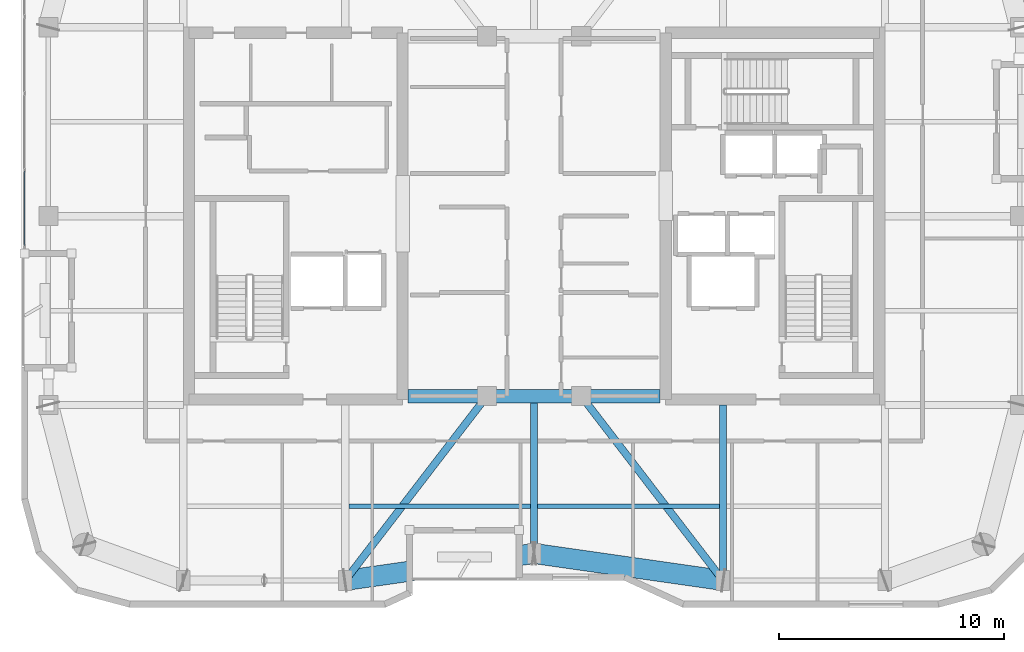
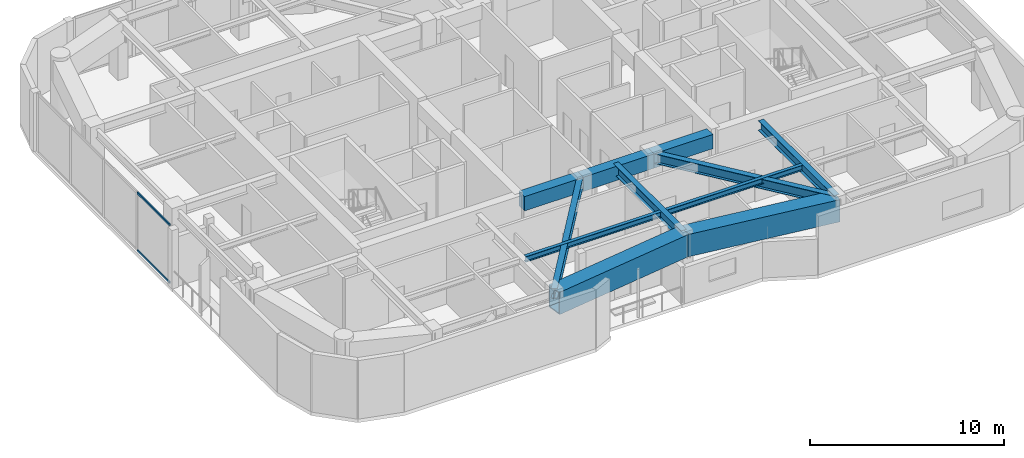
# One storey, part 3 of 15: 11 beams, 2 members, 1 element without a shape of its own.
"""IFC4 building model written with IfcOpenShell, lengths in metres."""

import ifcopenshell
import ifcopenshell.guid

model = None  # the IFC model being written
_history = None  # IfcOwnerHistory: only IFC2X3 demands one
_inside = {}  # id of a spatial element -> (the spatial element, [elements in it])
_under = {}  # id of a project, library or spatial element -> (it, [spatial elements below it])
_declared = {}  # id of a project -> (the project, [libraries it declares])
_typed = {}  # id of a type object -> (the type object, [elements of that type])
_made_of = {}  # id of a material, layer set ... -> (it, [elements and type objects made of it])


def new_model(schema):
    """Start an empty IFC model of exactly this schema.

    Asked for "IFC4X3", IfcOpenShell would pick the latest addendum, in which some entities
    have other attributes; the version numbers below select the first issue.
    IFC2X3 requires an IfcOwnerHistory on every rooted entity: one is made here for all.
    """
    global model, _history
    if schema == "IFC4X3":
        model = ifcopenshell.file(schema_version=(4, 3, 0, 0))
    else:
        model = ifcopenshell.file(schema=schema)
    _inside.clear()
    _under.clear()
    _declared.clear()
    _typed.clear()
    _made_of.clear()
    _history = None
    if model.schema == "IFC2X3":
        org = make("IfcOrganization", Name="unknown")
        user = make(
            "IfcPersonAndOrganization",
            ThePerson=make("IfcPerson", FamilyName="unknown"),
            TheOrganization=org,
        )
        app = make(
            "IfcApplication",
            ApplicationDeveloper=org,
            Version="unknown",
            ApplicationFullName="unknown",
            ApplicationIdentifier="unknown",
        )
        _history = make(
            "IfcOwnerHistory",
            OwningUser=user,
            OwningApplication=app,
            ChangeAction="ADDED",
            CreationDate=0,
        )
    return model


def make(cls, **values):
    """One entity of the class cls with the attributes given. An attribute that is None is left unset."""
    return model.create_entity(
        cls, **{name: value for name, value in values.items() if value is not None}
    )


def rooted(cls, **values):
    """An entity with a GlobalId (a new one), such as an element, a storey or a relation."""
    return make(cls, GlobalId=ifcopenshell.guid.new(), OwnerHistory=_history, **values)


def si_unit(unit_type, name, prefix=None):
    """IfcSIUnit, for example si_unit("LENGTHUNIT", "METRE", prefix="MILLI")."""
    return make("IfcSIUnit", UnitType=unit_type, Prefix=prefix, Name=name)


def assignment(units):
    """IfcUnitAssignment: the units of a project."""
    return None if units is None else make("IfcUnitAssignment", Units=units)


def point(xyz):
    """IfcCartesianPoint."""
    return None if xyz is None else make("IfcCartesianPoint", Coordinates=xyz)


def direction(xyz):
    """IfcDirection."""
    return None if xyz is None else make("IfcDirection", DirectionRatios=xyz)


def frame(location, z_axis=None, x_axis=None):
    """IfcAxis2Placement3D, a coordinate frame: its origin and axes. An axis left out is left unset."""
    return make(
        "IfcAxis2Placement3D",
        Location=point(location),
        Axis=direction(z_axis),
        RefDirection=direction(x_axis),
    )


def frame_2d(location, x_axis=None):
    """IfcAxis2Placement2D, a coordinate frame in the plane: its origin and x axis."""
    return make(
        "IfcAxis2Placement2D", Location=point(location), RefDirection=direction(x_axis)
    )


def origin():
    """The frame at (0, 0, 0) with its axes left unset."""
    return frame((0.0, 0.0, 0.0))


def origin_2d():
    """The frame at (0, 0) in the plane with its x axis left unset."""
    return frame_2d((0.0, 0.0))


def place(relative_to, where):
    """IfcLocalPlacement: puts the frame where relative to a parent placement (None: the world)."""
    return make(
        "IfcLocalPlacement", PlacementRelTo=relative_to, RelativePlacement=where
    )


def context(
    kind, dimensions, precision=None, world=None, true_north=None, identifier=None
):
    """IfcGeometricRepresentationContext, for example the 3D "Model" context."""
    return make(
        "IfcGeometricRepresentationContext",
        ContextIdentifier=identifier,
        ContextType=kind,
        CoordinateSpaceDimension=dimensions,
        Precision=precision,
        WorldCoordinateSystem=world,
        TrueNorth=true_north,
    )


def subcontext(parent, identifier, kind, view, scale=None):
    """IfcGeometricRepresentationSubContext, for example "Body" below "Model"."""
    return make(
        "IfcGeometricRepresentationSubContext",
        ContextIdentifier=identifier,
        ContextType=kind,
        ParentContext=parent,
        TargetScale=scale,
        TargetView=view,
    )


def project(units=None, contexts=None):
    """IfcProject with its units and contexts."""
    return rooted(
        "IfcProject",
        Name="project",
        RepresentationContexts=contexts,
        UnitsInContext=assignment(units),
    )


def spatial(cls, under=None, at=None, **own):
    """A site, building, storey or space (cls), placed at a placement, below another one or the project."""
    s = rooted(cls, ObjectPlacement=at, **own)
    if under is not None:
        _under.setdefault(under.id(), (under, []))[1].append(s)
    return s


def profile(cls, at=None, kind="AREA", **sizes):
    """A parametric profile (cls). Its sizes go by their IFC names, for example OverallWidth=200.0."""
    return make(cls, ProfileType=kind, Position=at, **sizes)


def rectangle(**sizes):
    """IfcRectangleProfileDef."""
    return profile("IfcRectangleProfileDef", **sizes)


def hollow_rectangle(**sizes):
    """IfcRectangleHollowProfileDef."""
    return profile("IfcRectangleHollowProfileDef", **sizes)


def i_section(**sizes):
    """IfcIShapeProfileDef."""
    return profile("IfcIShapeProfileDef", **sizes)


def extrude(swept, where, along, depth):
    """IfcExtrudedAreaSolid: the profile swept, set in the frame where, extruded along a direction by depth."""
    return make(
        "IfcExtrudedAreaSolid",
        SweptArea=swept,
        Position=where,
        ExtrudedDirection=direction(along),
        Depth=depth,
    )


def shape(context_of_items, identifier, shape_type, items):
    """IfcShapeRepresentation: the items that make up one representation, for example the "Body"."""
    return make(
        "IfcShapeRepresentation",
        ContextOfItems=context_of_items,
        RepresentationIdentifier=identifier,
        RepresentationType=shape_type,
        Items=items,
    )


def material(Name=None, Category=None):
    """IfcMaterial."""
    return make("IfcMaterial", Name=Name, Category=Category)


def layer(
    of_material, thickness, ventilated=None, Name=None, Category=None, Priority=None
):
    """IfcMaterialLayer: one layer of a wall or slab, of a material (None: an air gap)."""
    return make(
        "IfcMaterialLayer",
        Material=of_material,
        LayerThickness=thickness,
        IsVentilated=ventilated,
        Name=Name,
        Category=Category,
        Priority=Priority,
    )


def layer_set(layers, Name=None):
    """IfcMaterialLayerSet."""
    return make("IfcMaterialLayerSet", MaterialLayers=layers, LayerSetName=Name)


def material_profile(
    of_material, cross_section, Name=None, Category=None, Priority=None
):
    """IfcMaterialProfile: a cross section and its material."""
    return make(
        "IfcMaterialProfile",
        Name=Name,
        Material=of_material,
        Profile=cross_section,
        Priority=Priority,
        Category=Category,
    )


def profile_set(profiles, Name=None, composite=None):
    """IfcMaterialProfileSet."""
    return make(
        "IfcMaterialProfileSet",
        Name=Name,
        MaterialProfiles=profiles,
        CompositeProfile=composite,
    )


def made_of(thing, what):
    """Note that an element or type object is made of a material, layer set ...; save() writes the relation."""
    if what is not None:
        _made_of.setdefault(what.id(), (what, []))[1].append(thing)
    return thing


def type_object(cls, material=None, **own):
    """A type object (cls), such as IfcWallType, which elements share."""
    return made_of(rooted(cls, **own), material)


def element(
    cls,
    number,
    at=None,
    inside=None,
    cuts=None,
    type_object=None,
    material=None,
    context=None,
    identifier="Body",
    shape_type=None,
    held_by="IfcProductDefinitionShape",
    body=None,
    shapes=None,
    **own,
):
    """One element of the class cls, such as IfcWall. Its Tag is "e" and its number.

    at: its placement. inside: the storey or other place that contains it. cuts: it is an
    opening in that element (IfcRelVoidsElement). A single representation is given by context,
    identifier, shape_type and body (its items); several are given by shapes. held_by: the class
    of the entity that holds the representations. save() writes the other relations.
    """
    e = rooted(cls, Tag="e%d" % number, ObjectPlacement=at, **own)
    if body is not None:
        shapes = [shape(context, identifier, shape_type, body)]
    if shapes is not None:
        e.Representation = make(held_by, Representations=shapes)
    if inside is not None:
        _inside.setdefault(inside.id(), (inside, []))[1].append(e)
    if cuts is not None:
        rooted(
            "IfcRelVoidsElement", RelatingBuildingElement=cuts, RelatedOpeningElement=e
        )
    if type_object is not None:
        _typed.setdefault(type_object.id(), (type_object, []))[1].append(e)
    return made_of(e, material)


def aggregate(whole, parts):
    """IfcRelAggregates: a whole, such as a stair, and the parts it consists of."""
    return rooted("IfcRelAggregates", RelatingObject=whole, RelatedObjects=parts)


def save(model, path):
    """Write the relations noted so far, then the file.

    IfcRelAggregates (storeys below a building ...), IfcRelContainedInSpatialStructure (elements
    in a storey), IfcRelDefinesByType, IfcRelAssociatesMaterial and IfcRelDeclares: one each for
    every whole, place, type object, material and project.
    """
    for whole, parts in _under.values():
        aggregate(whole, parts)
    for where, things in _inside.values():
        rooted(
            "IfcRelContainedInSpatialStructure",
            RelatedElements=things,
            RelatingStructure=where,
        )
    for kind, things in _typed.values():
        rooted("IfcRelDefinesByType", RelatedObjects=things, RelatingType=kind)
    for what, things in _made_of.values():
        rooted("IfcRelAssociatesMaterial", RelatedObjects=things, RelatingMaterial=what)
    for by, libraries in _declared.values():
        rooted("IfcRelDeclares", RelatingContext=by, RelatedDefinitions=libraries)
    model.write(path)


model = new_model("IFC4")

# Units and contexts
model_context = context("Model", 3, precision=1e-05, world=origin(), true_north=direction((0.0, 1.0)))
body_context = subcontext(model_context, "Body", "Model", "MODEL_VIEW")
ifc_project = project(units=[si_unit("LENGTHUNIT", "METRE"), si_unit("AREAUNIT", "SQUARE_METRE"), si_unit("VOLUMEUNIT", "CUBIC_METRE"), si_unit("PLANEANGLEUNIT", "RADIAN"), si_unit("MASSUNIT", "GRAM", prefix="KILO")], contexts=[model_context])

# Site, building, storey
site_placement = place(None, origin())
site = spatial("IfcSite", under=ifc_project, at=site_placement, CompositionType="ELEMENT")
building_placement = place(site_placement, origin())
building = spatial("IfcBuilding", under=site, at=building_placement, Name="Kiyonajd Concourse Tower", CompositionType="ELEMENT")
storey_placement = place(building_placement, frame((0.0, 0.0, 318.0)))
storey = spatial("IfcBuildingStorey", under=building, at=storey_placement, Name="L80", CompositionType="ELEMENT", Elevation=318.0)

# Beams
ifc_material_1 = material(Name="Concrete C60/75", Category="concrete")
ifc_material_profile_1 = material_profile(ifc_material_1, rectangle(XDim=0.60009765625, YDim=0.89990234375, at=origin_2d()), Name="RCBM-600x900")
ifc_profile_set_1 = profile_set([ifc_material_profile_1], Name="Concrete C60/75")
beam_type_1 = type_object("IfcBeamType", Name="BM-COUP-900", PredefinedType="LINTEL", material=ifc_profile_set_1)
beam_1_placement = place(storey_placement, frame((42.39990234375, 28.0, 3.22998046875), z_axis=(1.0, 0.0, 0.0), x_axis=(0.0, 1.0, 0.0)))
element("IfcBeam", 1, at=beam_1_placement, inside=storey, type_object=beam_type_1, Name="L80 Core Coupling Beam S1", PredefinedType="LINTEL", context=body_context, shape_type="SweptSolid", body=[
    extrude(rectangle(XDim=0.60009765625, YDim=0.89990234375, at=origin_2d()), origin(), (0.0, 0.0, 1.0), 3.5),
])
beam_2_placement = place(storey_placement, frame((45.89990234375, 28.0, 3.22998046875), z_axis=(1.0, 0.0, 0.0), x_axis=(0.0, 1.0, 0.0)))
element("IfcBeam", 2, at=beam_2_placement, inside=storey, type_object=beam_type_1, Name="L80 Core Coupling Beam S2", PredefinedType="LINTEL", context=body_context, shape_type="SweptSolid", body=[
    extrude(rectangle(XDim=0.60009765625, YDim=0.89990234375, at=origin_2d()), origin(), (0.0, 0.0, 1.0), 4.2001953125),
])
beam_3_placement = place(storey_placement, frame((50.10009765625, 28.0, 3.22998046875), z_axis=(1.0, 0.0, 0.0), x_axis=(0.0, 1.0, 0.0)))
element("IfcBeam", 3, at=beam_3_placement, inside=storey, type_object=beam_type_1, Name="L80 Core Coupling Beam S3", PredefinedType="LINTEL", context=body_context, shape_type="SweptSolid", body=[
    extrude(rectangle(XDim=0.60009765625, YDim=0.89990234375, at=origin_2d()), origin(), (0.0, 0.0, 1.0), 3.5),
])
ifc_material_2 = material(Name="Steel ASTM A992 Grade 50", Category="steel")
ifc_material_profile_2 = material_profile(ifc_material_2, i_section(OverallWidth=0.205078125, OverallDepth=0.35400390625, WebThickness=0.009521484375, FlangeThickness=0.016845703125, at=origin_2d()), Name="W360X79")
ifc_profile_set_2 = profile_set([ifc_material_profile_2], Name="Steel ASTM A992 Grade 50")
beam_type_2 = type_object("IfcBeamType", Name="BM-JST-360", PredefinedType="JOIST", material=ifc_profile_set_2)
for number, where, z_axis, x_axis, name in (
    (4, (39.761962890625, 23.10009765625, 3.5029296875), (1.0, 0.0, 0.0), (0.0, 1.0, 0.0), "L80 Secondary Floor Joist"),
    (5, (48.162109375, 23.10009765625, 3.5029296875), (1.0, 0.0, 0.0), (0.0, 1.0, 0.0), "L80 Secondary Floor Joist"),
):
    element("IfcBeam", number, at=place(storey_placement, frame(where, z_axis=z_axis, x_axis=x_axis)), inside=storey, type_object=beam_type_2, Name=name, PredefinedType="JOIST", context=body_context, shape_type="SweptSolid", body=[
        extrude(i_section(OverallWidth=0.205078125, OverallDepth=0.35400390625, WebThickness=0.009521484375, FlangeThickness=0.016845703125, at=origin_2d()), origin(), (0.0, 0.0, 1.0), 8.075927734375),
    ])
ifc_material_profile_3 = material_profile(ifc_material_2, i_section(OverallWidth=0.326904296875, OverallDepth=0.6220703125, WebThickness=0.015380859375, FlangeThickness=0.0244140625, at=origin_2d()), Name="W610X195")
ifc_profile_set_3 = profile_set([ifc_material_profile_3], Name="Steel ASTM A992 Grade 50")
beam_type_3 = type_object("IfcBeamType", Name="BM-TWR-610A", PredefinedType="BEAM", material=ifc_profile_set_3)
for number, where, z_axis, x_axis, name in (
    (6, (39.60009765625, 19.800048828125, 3.368896484375), (0.609233709922, 0.792990722956, 0.0), (-0.792990722956, 0.609233709922, 0.0), "L80 Core Tie Girder"),
    (7, (50.10009765625, 28.0, 3.368896484375), (0.609233709922, -0.792990722956, 0.0), (0.792990722956, 0.609233709922, 0.0), "L80 Core Tie Girder"),
):
    element("IfcBeam", number, at=place(storey_placement, frame(where, z_axis=z_axis, x_axis=x_axis)), inside=storey, type_object=beam_type_3, Name=name, PredefinedType="BEAM", context=body_context, shape_type="SweptSolid", body=[
        extrude(i_section(OverallWidth=0.326904296875, OverallDepth=0.6220703125, WebThickness=0.015380859375, FlangeThickness=0.0244140625, at=origin_2d()), origin(), (0.0, 0.0, 1.0), 10.340576171875),
    ])
ifc_material_profile_4 = material_profile(ifc_material_2, i_section(OverallWidth=0.323974609375, OverallDepth=0.611083984375, WebThickness=0.0126953125, FlangeThickness=0.01904296875, at=origin_2d()), Name="W610X155")
ifc_profile_set_4 = profile_set([ifc_material_profile_4], Name="Steel ASTM A992 Grade 50")
beam_type_4 = type_object("IfcBeamType", Name="BM-TWR-610B", PredefinedType="BEAM", material=ifc_profile_set_4)
beam_4_placement = place(storey_placement, frame((56.39990234375, 19.800048828125, 3.37451171875), z_axis=(0.0, 1.0, 0.0), x_axis=(-1.0, 0.0, 0.0)))
element("IfcBeam", 8, at=beam_4_placement, inside=storey, type_object=beam_type_4, Name="L80 South Lease Girder", PredefinedType="BEAM", context=body_context, shape_type="SweptSolid", body=[
    extrude(i_section(OverallWidth=0.323974609375, OverallDepth=0.611083984375, WebThickness=0.0126953125, FlangeThickness=0.01904296875, at=origin_2d()), origin(), (0.0, 0.0, 1.0), 7.800048828125),
])
beam_5_placement = place(storey_placement, frame((48.0, 21.0, 3.37451171875), z_axis=(0.0, 1.0, 0.0), x_axis=(-1.0, 0.0, 0.0)))
element("IfcBeam", 9, at=beam_5_placement, inside=storey, type_object=beam_type_4, Name="L80 South Ribbon Girder", PredefinedType="BEAM", context=body_context, shape_type="SweptSolid", body=[
    extrude(i_section(OverallWidth=0.323974609375, OverallDepth=0.611083984375, WebThickness=0.0126953125, FlangeThickness=0.01904296875, at=origin_2d()), origin(), (0.0, 0.0, 1.0), 7.0),
])
ifc_material_3 = material(Name="Steel ASTM A572 Grade 50", Category="steel")
ifc_material_profile_5 = material_profile(ifc_material_3, hollow_rectangle(XDim=0.89990234375, YDim=1.39990234375, WallThickness=0.070068359375, at=origin_2d()), Name="BOX-1400x900x70")
ifc_profile_set_5 = profile_set([ifc_material_profile_5], Name="Steel ASTM A572 Grade 50")
beam_type_5 = type_object("IfcBeamType", Name="BM-XFER-1400", PredefinedType="BEAM", material=ifc_profile_set_5)
for number, where, z_axis, x_axis, name in (
    (10, (39.60009765625, 19.800048828125, 2.97998046875), (0.989950069105, 0.141417328072, 0.0), (-0.141417328072, 0.989950069105, 0.0), "L80 Perimeter Bundled Tube Spandrel"),
    (11, (48.0, 21.0, 2.97998046875), (0.989950069105, -0.141417328072, 0.0), (0.141417328072, 0.989950069105, 0.0), "L80 Perimeter Bundled Tube Spandrel"),
):
    element("IfcBeam", number, at=place(storey_placement, frame(where, z_axis=z_axis, x_axis=x_axis)), inside=storey, type_object=beam_type_5, Name=name, PredefinedType="BEAM", context=body_context, shape_type="SweptSolid", body=[
        extrude(hollow_rectangle(XDim=0.89990234375, YDim=1.39990234375, WallThickness=0.070068359375, at=origin_2d()), origin(), (0.0, 0.0, 1.0), 8.485107421875),
    ])

# Curtain wall, members
ifc_material_4 = material(Name="Thermally Broken Anodised Aluminium", Category="aluminium")
ifc_layer = layer(ifc_material_4, 0.179931640625)
ifc_layer_set = layer_set([ifc_layer], Name="Thermally Broken Anodised Aluminium")
curtain_wall_type = type_object("IfcCurtainWallType", Name="CW-SYS-04", PredefinedType="NOTDEFINED", material=ifc_layer_set)
curtain_wall_placement = place(storey_placement, origin())
curtain_wall = element("IfcCurtainWall", 12, at=curtain_wall_placement, inside=storey, type_object=curtain_wall_type, Name="L80 Unitised Curtain Wall CW4", PredefinedType="NOTDEFINED")
ifc_material_profile_6 = material_profile(ifc_material_4, hollow_rectangle(XDim=0.06494140625, YDim=0.139892578125, WallThickness=0.00390625, at=origin_2d()), Name="TRAN-65x140")
ifc_profile_set_6 = profile_set([ifc_material_profile_6], Name="Thermally Broken Anodised Aluminium")
member_type = type_object("IfcMemberType", Name="MB-CW-TRAN1", PredefinedType="USERDEFINED", material=ifc_profile_set_6)
member_1_placement = place(storey_placement, frame((25.340087890625, 34.695068359375, 0.032470703125), z_axis=(0.0, 1.0, 0.0), x_axis=(-1.0, 0.0, 0.0)))
member_1 = element("IfcMember", 13, at=member_1_placement, type_object=member_type, Name="CW4 transom 1.1", ObjectType="TRANSOM", PredefinedType="USERDEFINED", context=body_context, shape_type="SweptSolid", body=[
    extrude(hollow_rectangle(XDim=0.06494140625, YDim=0.139892578125, WallThickness=0.00390625, at=origin_2d()), origin(), (0.0, 0.0, 1.0), 3.31787109375),
])
member_2_placement = place(storey_placement, frame((25.340087890625, 34.695068359375, 3.6474609375), z_axis=(0.0, 1.0, 0.0), x_axis=(-1.0, 0.0, 0.0)))
member_2 = element("IfcMember", 14, at=member_2_placement, type_object=member_type, Name="CW4 transom 1.2", ObjectType="TRANSOM", PredefinedType="USERDEFINED", context=body_context, shape_type="SweptSolid", body=[
    extrude(hollow_rectangle(XDim=0.06494140625, YDim=0.139892578125, WallThickness=0.00390625, at=origin_2d()), origin(), (0.0, 0.0, 1.0), 3.31787109375),
])
aggregate(curtain_wall, [member_1, member_2])

save(model, "model.ifc")
